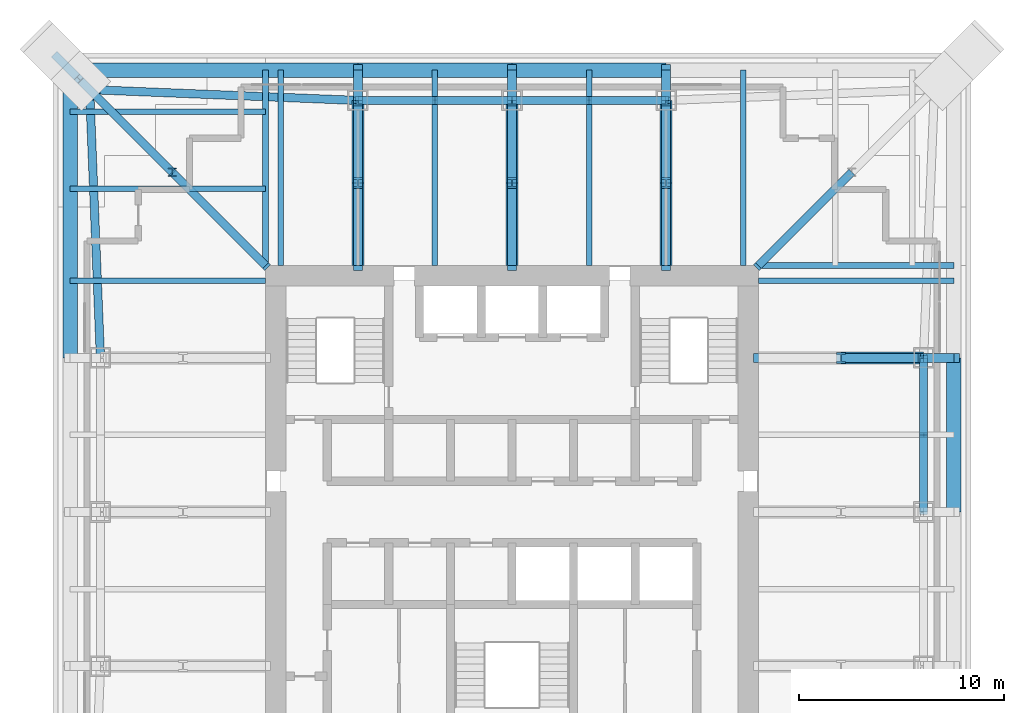
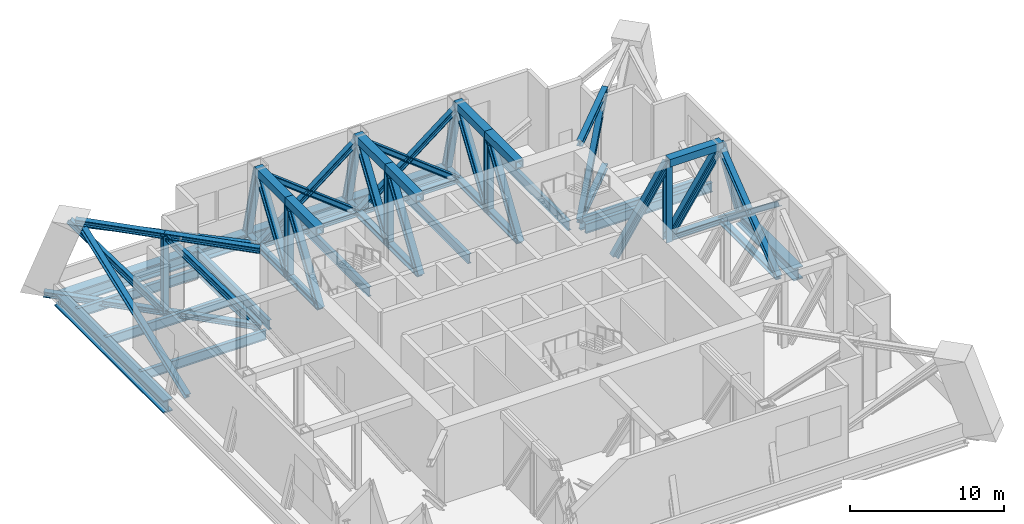
# One storey, part 3 of 9: 61 members, 15 beams.
"""IFC4 building model written with IfcOpenShell, lengths in metres."""

from ifc_helpers import new_model, si_unit, direction, frame, origin, origin_2d, place, context, subcontext, project, spatial, hollow_rectangle, i_section, extrude, clip, halfspace, material, material_profile, profile_set, type_object, element, save


model = new_model("IFC4")

# Units and contexts
model_context = context("Model", 3, precision=1e-05, world=origin(), true_north=direction((0.0, 1.0)))
body_context = subcontext(model_context, "Body", "Model", "MODEL_VIEW")
ifc_project = project(units=[si_unit("LENGTHUNIT", "METRE"), si_unit("AREAUNIT", "SQUARE_METRE"), si_unit("VOLUMEUNIT", "CUBIC_METRE"), si_unit("PLANEANGLEUNIT", "RADIAN"), si_unit("MASSUNIT", "GRAM", prefix="KILO")], contexts=[model_context])

# Site, building, storey
site_placement = place(None, origin())
site = spatial("IfcSite", under=ifc_project, at=site_placement, CompositionType="ELEMENT")
building_placement = place(site_placement, origin())
building = spatial("IfcBuilding", under=site, at=building_placement, Name="Tarangal Relay Tower", CompositionType="ELEMENT")
storey_placement = place(building_placement, frame((0.0, 0.0, 253.89990234375)))
storey = spatial("IfcBuildingStorey", under=building, at=storey_placement, Name="L55", CompositionType="ELEMENT", Elevation=253.89990234375)

# Members
ifc_material_1 = material(Name="Steel ASTM A992", Category="steel")
ifc_material_profile_1 = material_profile(ifc_material_1, i_section(OverallWidth=0.40380859375, OverallDepth=0.406494140625, WebThickness=0.027099609375, FlangeThickness=0.043701171875, at=origin_2d()), Name="W14X233")
ifc_profile_set_1 = profile_set([ifc_material_profile_1], Name="Steel ASTM A992")
member_type_1 = type_object("IfcMemberType", Name="Belt truss brace W14X233", PredefinedType="BRACE", material=ifc_profile_set_1)
for number, where, z_axis, x_axis, name in (
    (1, (-7.5, 20.0400390625, -0.4873046875), (0.790390136435, 0.0, 0.612603813428), (0.0, 1.0, 0.0), "Belt truss N L55 brace"),
    (2, (-3.75, 20.0400390625, 2.419189453125), (0.790390136435, 0.0, 0.612603813428), (0.0, 1.0, 0.0), "Belt truss N L55 brace"),
    (3, (0.0, 20.0400390625, -0.4873046875), (-0.790390136435, 0.0, 0.612603813428), (0.0, -1.0, 0.0), "Belt truss N L55 brace"),
    (4, (-3.75, 20.0400390625, 2.419189453125), (-0.790390136435, 0.0, 0.612603813428), (0.0, -1.0, 0.0), "Belt truss N L55 brace"),
    (5, (0.0, 20.0400390625, -0.4873046875), (0.790390136435, 0.0, 0.612603813428), (0.0, 1.0, 0.0), "Belt truss N L55 brace"),
    (6, (3.75, 20.0400390625, 2.419189453125), (0.790390136435, 0.0, 0.612603813428), (0.0, 1.0, 0.0), "Belt truss N L55 brace"),
    (7, (7.5, 20.0400390625, -0.4873046875), (-0.790390136435, 0.0, 0.612603813428), (0.0, -1.0, 0.0), "Belt truss N L55 brace"),
    (8, (3.75, 20.0400390625, 2.419189453125), (-0.790390136435, 0.0, 0.612603813428), (0.0, -1.0, 0.0), "Belt truss N L55 brace"),
):
    element("IfcMember", number, at=place(storey_placement, frame(where, z_axis=z_axis, x_axis=x_axis)), inside=storey, type_object=member_type_1, Name=name, PredefinedType="BRACE", context=body_context, shape_type="SweptSolid", body=[
        extrude(i_section(OverallWidth=0.40380859375, OverallDepth=0.406494140625, WebThickness=0.027099609375, FlangeThickness=0.043701171875, at=origin_2d()), origin(), (0.0, 0.0, 1.0), 4.744384765625),
    ])
member_1_placement = place(storey_placement, frame((-7.5, 20.0400390625, -0.4873046875), z_axis=(-0.908043977313, 0.036609871243, 0.417271916853), x_axis=(-0.040284561108, -0.999188247597, 0.0)))
element("IfcMember", 9, at=member_1_placement, inside=storey, type_object=member_type_1, Name="Belt truss N L55 end brace", PredefinedType="BRACE", context=body_context, shape_type="SweptSolid", body=[
    extrude(i_section(OverallWidth=0.40380859375, OverallDepth=0.406494140625, WebThickness=0.027099609375, FlangeThickness=0.043701171875, at=origin_2d()), origin(), (0.0, 0.0, 1.0), 13.930908203125),
])
for number, where, z_axis, x_axis, name in (
    (10, (20.0400390625, 7.5, -0.4873046875), (0.0, -0.790390136435, 0.612603813428), (1.0, 0.0, 0.0), "Belt truss E L55 brace"),
    (11, (20.0400390625, 3.75, 2.419189453125), (0.0, -0.790390136435, 0.612603813428), (1.0, 0.0, 0.0), "Belt truss E L55 brace"),
    (12, (20.0400390625, 0.0, -0.4873046875), (0.0, 0.790390136435, 0.612603813428), (-1.0, 0.0, 0.0), "Belt truss E L55 brace"),
    (13, (20.0400390625, 3.75, 2.419189453125), (0.0, 0.790390136435, 0.612603813428), (-1.0, 0.0, 0.0), "Belt truss E L55 brace"),
):
    element("IfcMember", number, at=place(storey_placement, frame(where, z_axis=z_axis, x_axis=x_axis)), inside=storey, type_object=member_type_1, Name=name, PredefinedType="BRACE", context=body_context, shape_type="SweptSolid", body=[
        extrude(i_section(OverallWidth=0.40380859375, OverallDepth=0.406494140625, WebThickness=0.027099609375, FlangeThickness=0.043701171875, at=origin_2d()), origin(), (0.0, 0.0, 1.0), 4.744384765625),
    ])
member_2_placement = place(storey_placement, frame((-20.0400390625, 7.5, -0.4873046875), z_axis=(-0.036609871243, 0.908043977313, 0.417271916853), x_axis=(-0.999188247597, -0.040284561108, 0.0)))
element("IfcMember", 14, at=member_2_placement, inside=storey, type_object=member_type_1, Name="Belt truss W L55 end brace", PredefinedType="BRACE", context=body_context, shape_type="SweptSolid", body=[
    extrude(i_section(OverallWidth=0.40380859375, OverallDepth=0.406494140625, WebThickness=0.027099609375, FlangeThickness=0.043701171875, at=origin_2d()), origin(), (0.0, 0.0, 1.0), 13.930908203125),
])
ifc_material_profile_2 = material_profile(ifc_material_1, i_section(OverallWidth=0.406494140625, OverallDepth=0.41650390625, WebThickness=0.030029296875, FlangeThickness=0.048095703125, at=origin_2d()), Name="W14X257")
ifc_profile_set_2 = profile_set([ifc_material_profile_2], Name="Steel ASTM A992")
member_type_2 = type_object("IfcMemberType", Name="Belt truss chord W14X257", PredefinedType="CHORD", material=ifc_profile_set_2)
for number, where, z_axis, x_axis, name in (
    (15, (-7.5, 20.0400390625, -0.4873046875), (1.0, 0.0, 0.0), (0.0, 1.0, 0.0), "Belt truss N L55 bottom chord"),
    (16, (0.0, 20.0400390625, -0.4873046875), (1.0, 0.0, 0.0), (0.0, 1.0, 0.0), "Belt truss N L55 bottom chord"),
    (17, (20.0400390625, 7.5, -0.4873046875), (0.0, -1.0, 0.0), (1.0, 0.0, 0.0), "Belt truss E L55 bottom chord"),
):
    element("IfcMember", number, at=place(storey_placement, frame(where, z_axis=z_axis, x_axis=x_axis)), inside=storey, type_object=member_type_2, Name=name, PredefinedType="CHORD", context=body_context, shape_type="SweptSolid", body=[
        extrude(i_section(OverallWidth=0.406494140625, OverallDepth=0.41650390625, WebThickness=0.030029296875, FlangeThickness=0.048095703125, at=origin_2d()), origin(), (0.0, 0.0, 1.0), 7.5),
    ])

# Beams
ifc_material_profile_3 = material_profile(ifc_material_1, i_section(OverallWidth=0.2666015625, OverallDepth=0.761962890625, WebThickness=0.014404296875, FlangeThickness=0.021484375, at=origin_2d()), Name="W30X116")
ifc_profile_set_3 = profile_set([ifc_material_profile_3], Name="Steel ASTM A992")
beam_type_1 = type_object("IfcBeamType", Name="Corner beam W30X116", PredefinedType="JOIST", material=ifc_profile_set_3)
for number, where, z_axis, x_axis, name in (
    (18, (-12.0, 15.75, -0.630859375), (-1.0, 0.0, 0.0), (0.0, -1.0, 0.0), "Corner beam CB1 W L55"),
    (19, (-12.0, 19.5, -0.630859375), (-1.0, 0.0, 0.0), (0.0, -1.0, 0.0), "Corner beam CB1 W L55"),
):
    element("IfcBeam", number, at=place(storey_placement, frame(where, z_axis=z_axis, x_axis=x_axis)), inside=storey, type_object=beam_type_1, Name=name, PredefinedType="JOIST", context=body_context, shape_type="SweptSolid", body=[
        extrude(i_section(OverallWidth=0.2666015625, OverallDepth=0.761962890625, WebThickness=0.014404296875, FlangeThickness=0.021484375, at=origin_2d()), origin(), (0.0, 0.0, 1.0), 9.514892578125),
    ])
ifc_material_profile_4 = material_profile(ifc_material_1, i_section(OverallWidth=0.307373046875, OverallDepth=0.9423828125, WebThickness=0.022216796875, FlangeThickness=0.039794921875, at=origin_2d()), Name="W36X232")
ifc_profile_set_4 = profile_set([ifc_material_profile_4], Name="Steel ASTM A992")
beam_type_2 = type_object("IfcBeamType", Name="Corner girder W36X232", PredefinedType="BEAM", material=ifc_profile_set_4)
for number, where, z_axis, x_axis, name in (
    (20, (12.0, 12.0, -0.720947265625), (1.0, 0.0, 0.0), (0.0, 1.0, 0.0), "Corner girder CG4 N L55"),
    (21, (-12.0, 12.0, -0.720947265625), (0.0, 1.0, 0.0), (-1.0, 0.0, 0.0), "Corner girder CG4 W L55"),
):
    element("IfcBeam", number, at=place(storey_placement, frame(where, z_axis=z_axis, x_axis=x_axis)), inside=storey, type_object=beam_type_2, Name=name, PredefinedType="BEAM", context=body_context, shape_type="SweptSolid", body=[
        extrude(i_section(OverallWidth=0.307373046875, OverallDepth=0.9423828125, WebThickness=0.022216796875, FlangeThickness=0.039794921875, at=origin_2d()), origin(), (0.0, 0.0, 1.0), 9.514892578125),
    ])
ifc_material_2 = material(Name="Steel ASTM A572 Grade 50", Category="steel")
ifc_material_profile_5 = material_profile(ifc_material_2, i_section(OverallWidth=0.699951171875, OverallDepth=1.0, WebThickness=0.030029296875, FlangeThickness=0.10009765625, at=origin_2d()), Name="PG1000X700X100X30")
ifc_profile_set_5 = profile_set([ifc_material_profile_5], Name="Steel ASTM A572 Grade 50")
beam_type_3 = type_object("IfcBeamType", Name="Edge girder PG1000X700X100X30", PredefinedType="SPANDREL", material=ifc_profile_set_5)
beam_1_placement = place(storey_placement, frame((-21.64990234375, 21.514892578125, -0.75), z_axis=(1.0, 0.0, 0.0), x_axis=(0.0, 1.0, 0.0)))
element("IfcBeam", 22, at=beam_1_placement, inside=storey, type_object=beam_type_3, Name="Edge girder EG13 N L55", PredefinedType="SPANDREL", context=body_context, shape_type="SweptSolid", body=[
    extrude(i_section(OverallWidth=0.699951171875, OverallDepth=1.0, WebThickness=0.030029296875, FlangeThickness=0.10009765625, at=origin_2d()), origin(), (0.0, 0.0, 1.0), 14.14990234375),
])
for number, where, z_axis, x_axis, name in (
    (23, (-7.5, 21.514892578125, -0.75), (1.0, 0.0, 0.0), (0.0, 1.0, 0.0), "Edge girder EG13 N L55"),
    (24, (0.0, 21.514892578125, -0.75), (1.0, 0.0, 0.0), (0.0, 1.0, 0.0), "Edge girder EG13 N L55"),
    (25, (21.514892578125, 7.5, -0.75), (0.0, -1.0, 0.0), (1.0, 0.0, 0.0), "Edge girder EG13 E L55"),
):
    element("IfcBeam", number, at=place(storey_placement, frame(where, z_axis=z_axis, x_axis=x_axis)), inside=storey, type_object=beam_type_3, Name=name, PredefinedType="SPANDREL", context=body_context, shape_type="SweptSolid", body=[
        extrude(i_section(OverallWidth=0.699951171875, OverallDepth=1.0, WebThickness=0.030029296875, FlangeThickness=0.10009765625, at=origin_2d()), origin(), (0.0, 0.0, 1.0), 7.5),
    ])
beam_2_placement = place(storey_placement, frame((-21.514892578125, 7.5, -0.75), z_axis=(0.0, 1.0, 0.0), x_axis=(-1.0, 0.0, 0.0)))
element("IfcBeam", 26, at=beam_2_placement, inside=storey, type_object=beam_type_3, Name="Edge girder EG13 W L55", PredefinedType="SPANDREL", context=body_context, shape_type="SweptSolid", body=[
    extrude(i_section(OverallWidth=0.699951171875, OverallDepth=1.0, WebThickness=0.030029296875, FlangeThickness=0.10009765625, at=origin_2d()), origin(), (0.0, 0.0, 1.0), 14.14990234375),
])
ifc_material_profile_6 = material_profile(ifc_material_1, i_section(OverallWidth=0.2666015625, OverallDepth=0.75439453125, WebThickness=0.01318359375, FlangeThickness=0.01708984375, at=origin_2d()), Name="W30X99")
ifc_profile_set_6 = profile_set([ifc_material_profile_6], Name="Steel ASTM A992")
beam_type_4 = type_object("IfcBeamType", Name="Floor beam W30X99", PredefinedType="BEAM", material=ifc_profile_set_6)
for number, where, z_axis, x_axis, name in (
    (27, (-11.25, 12.0, -0.627197265625), (0.0, 1.0, 0.0), (-1.0, 0.0, 0.0), "Floor beam RB7 N L55"),
    (28, (-3.75, 12.0, -0.627197265625), (0.0, 1.0, 0.0), (-1.0, 0.0, 0.0), "Floor beam RB7 N L55"),
    (29, (3.75, 12.0, -0.627197265625), (0.0, 1.0, 0.0), (-1.0, 0.0, 0.0), "Floor beam RB7 N L55"),
    (30, (11.25, 12.0, -0.627197265625), (0.0, 1.0, 0.0), (-1.0, 0.0, 0.0), "Floor beam RB7 N L55"),
    (31, (12.0, 11.25, -0.627197265625), (1.0, 0.0, 0.0), (0.0, 1.0, 0.0), "Floor beam RB7 E L55"),
    (32, (-12.0, 11.25, -0.627197265625), (-1.0, 0.0, 0.0), (0.0, -1.0, 0.0), "Floor beam RB7 W L55"),
):
    element("IfcBeam", number, at=place(storey_placement, frame(where, z_axis=z_axis, x_axis=x_axis)), inside=storey, type_object=beam_type_4, Name=name, PredefinedType="BEAM", context=body_context, shape_type="SweptSolid", body=[
        extrude(i_section(OverallWidth=0.2666015625, OverallDepth=0.75439453125, WebThickness=0.01318359375, FlangeThickness=0.01708984375, at=origin_2d()), origin(), (0.0, 0.0, 1.0), 9.514892578125),
    ])

# Members
ifc_material_profile_7 = material_profile(ifc_material_1, i_section(OverallWidth=0.41162109375, OverallDepth=0.434326171875, WebThickness=0.035888671875, FlangeThickness=0.057373046875, at=origin_2d()), Name="W14X311")
ifc_profile_set_7 = profile_set([ifc_material_profile_7], Name="Steel ASTM A992")
member_type_3 = type_object("IfcMemberType", Name="Outrigger chord W14X311", PredefinedType="CHORD", material=ifc_profile_set_7)
for number, where, z_axis, x_axis, name in (
    (33, (12.0, 12.0, -0.467041015625), (0.707106781187, 0.707106781187, 0.0), (-0.707106781187, 0.707106781187, 0.0), "Outrigger NE L55 bottom chord"),
    (34, (12.0, 12.0, 5.6328125), (0.707106781187, 0.707106781187, 0.0), (-0.707106781187, 0.707106781187, 0.0), "Outrigger NE L55 top chord"),
    (35, (-12.0, 12.0, -0.467041015625), (-0.707106781187, 0.707106781187, 0.0), (-0.707106781187, -0.707106781187, 0.0), "Outrigger NW L55 bottom chord"),
):
    element("IfcMember", number, at=place(storey_placement, frame(where, z_axis=z_axis, x_axis=x_axis)), inside=storey, type_object=member_type_3, Name=name, PredefinedType="CHORD", context=body_context, shape_type="SweptSolid", body=[
        extrude(i_section(OverallWidth=0.41162109375, OverallDepth=0.434326171875, WebThickness=0.035888671875, FlangeThickness=0.057373046875, at=origin_2d()), origin(), (0.0, 0.0, 1.0), 6.428955078125),
    ])
member_3_placement = place(storey_placement, frame((-16.5458984375, 16.5458984375, -0.467041015625), z_axis=(-0.707106781187, 0.707106781187, 0.0), x_axis=(-0.707106781187, -0.707106781187, 0.0)))
element("IfcMember", 36, at=member_3_placement, inside=storey, type_object=member_type_3, Name="Outrigger NW L55 bottom chord", PredefinedType="CHORD", context=body_context, shape_type="Clipping", body=[
    clip(extrude(i_section(OverallWidth=0.41162109375, OverallDepth=0.434326171875, WebThickness=0.035888671875, FlangeThickness=0.057373046875, at=origin_2d()), origin(), (0.0, 0.0, 1.0), 8.42041015625), halfspace(frame((0.0, 0.0, 8.1298828125)), False)),
])
member_4_placement = place(storey_placement, frame((-12.0, 12.0, 5.6328125), z_axis=(-0.707106781187, 0.707106781187, 0.0), x_axis=(-0.707106781187, -0.707106781187, 0.0)))
element("IfcMember", 37, at=member_4_placement, inside=storey, type_object=member_type_3, Name="Outrigger NW L55 top chord", PredefinedType="CHORD", context=body_context, shape_type="SweptSolid", body=[
    extrude(i_section(OverallWidth=0.41162109375, OverallDepth=0.434326171875, WebThickness=0.035888671875, FlangeThickness=0.057373046875, at=origin_2d()), origin(), (0.0, 0.0, 1.0), 6.428955078125),
])
member_5_placement = place(storey_placement, frame((-16.5458984375, 16.5458984375, 5.6328125), z_axis=(-0.707106781187, 0.707106781187, 0.0), x_axis=(-0.707106781187, -0.707106781187, 0.0)))
element("IfcMember", 38, at=member_5_placement, inside=storey, type_object=member_type_3, Name="Outrigger NW L55 top chord", PredefinedType="CHORD", context=body_context, shape_type="Clipping", body=[
    clip(extrude(i_section(OverallWidth=0.41162109375, OverallDepth=0.434326171875, WebThickness=0.035888671875, FlangeThickness=0.057373046875, at=origin_2d()), origin(), (0.0, 0.0, 1.0), 6.428955078125), halfspace(frame((0.0, 0.0, 6.008544921875)), False)),
])
ifc_material_profile_8 = material_profile(ifc_material_1, i_section(OverallWidth=0.40380859375, OverallDepth=0.406494140625, WebThickness=0.027099609375, FlangeThickness=0.043701171875, at=origin_2d()), Name="W14X233")
ifc_profile_set_8 = profile_set([ifc_material_profile_8], Name="Steel ASTM A992")
member_type_4 = type_object("IfcMemberType", Name="Outrigger web W14X233", PredefinedType="STRUT", material=ifc_profile_set_8)
member_6_placement = place(storey_placement, frame((12.0, 12.0, -0.467041015625), z_axis=(0.512953687451, 0.512953687451, 0.688300101018), x_axis=(-0.707106781187, 0.707106781187, 0.0)))
element("IfcMember", 39, at=member_6_placement, inside=storey, type_object=member_type_4, Name="Outrigger NE L55 diagonal", PredefinedType="STRUT", context=body_context, shape_type="SweptSolid", body=[
    extrude(i_section(OverallWidth=0.40380859375, OverallDepth=0.406494140625, WebThickness=0.027099609375, FlangeThickness=0.043701171875, at=origin_2d()), origin(), (0.0, 0.0, 1.0), 8.8623046875),
])
member_7_placement = place(storey_placement, frame((-16.5458984375, 16.5458984375, -0.467041015625), z_axis=(0.0, 0.0, 1.0), x_axis=(1.0, 0.0, 0.0)))
element("IfcMember", 40, at=member_7_placement, inside=storey, type_object=member_type_4, Name="Outrigger NW L55 vertical", PredefinedType="STRUT", context=body_context, shape_type="SweptSolid", body=[
    extrude(i_section(OverallWidth=0.40380859375, OverallDepth=0.406494140625, WebThickness=0.027099609375, FlangeThickness=0.043701171875, at=origin_2d()), origin(), (0.0, 0.0, 1.0), 6.099853515625),
])
for number, where, z_axis, x_axis, name in (
    (41, (-12.0, 12.0, -0.467041015625), (-0.512953687451, 0.512953687451, 0.688300101018), (-0.707106781187, -0.707106781187, 0.0), "Outrigger NW L55 diagonal"),
    (42, (-16.5458984375, 16.5458984375, -0.467041015625), (-0.512953687451, 0.512953687451, 0.688300101018), (-0.707106781187, -0.707106781187, 0.0), "Outrigger NW L55 diagonal"),
):
    element("IfcMember", number, at=place(storey_placement, frame(where, z_axis=z_axis, x_axis=x_axis)), inside=storey, type_object=member_type_4, Name=name, PredefinedType="STRUT", context=body_context, shape_type="SweptSolid", body=[
        extrude(i_section(OverallWidth=0.40380859375, OverallDepth=0.406494140625, WebThickness=0.027099609375, FlangeThickness=0.043701171875, at=origin_2d()), origin(), (0.0, 0.0, 1.0), 8.8623046875),
    ])
ifc_material_profile_9 = material_profile(ifc_material_1, i_section(OverallWidth=0.42431640625, OverallDepth=0.47509765625, WebThickness=0.0478515625, FlangeThickness=0.0771484375, at=origin_2d()), Name="W14X426")
ifc_profile_set_9 = profile_set([ifc_material_profile_9], Name="Steel ASTM A992")
member_type_5 = type_object("IfcMemberType", Name="Transfer truss chord W14X426", PredefinedType="CHORD", material=ifc_profile_set_9)
for number, where, z_axis, x_axis, name in (
    (43, (-7.5, 12.0, -0.4873046875), (0.0, 1.0, 0.0), (-1.0, 0.0, 0.0), "Transfer truss N -7.5 L55 bottom chord"),
    (44, (-7.5, 16.02001953125, -0.4873046875), (0.0, 1.0, 0.0), (-1.0, 0.0, 0.0), "Transfer truss N -7.5 L55 bottom chord"),
):
    element("IfcMember", number, at=place(storey_placement, frame(where, z_axis=z_axis, x_axis=x_axis)), inside=storey, type_object=member_type_5, Name=name, PredefinedType="CHORD", context=body_context, shape_type="SweptSolid", body=[
        extrude(i_section(OverallWidth=0.42431640625, OverallDepth=0.47509765625, WebThickness=0.0478515625, FlangeThickness=0.0771484375, at=origin_2d()), origin(), (0.0, 0.0, 1.0), 4.02001953125),
    ])
member_8_placement = place(storey_placement, frame((-7.5, 20.0400390625, -0.4873046875), z_axis=(0.0, 1.0, 0.0), x_axis=(-1.0, 0.0, 0.0)))
element("IfcMember", 45, at=member_8_placement, inside=storey, type_object=member_type_5, Name="Transfer truss N -7.5 L55 bottom chord", PredefinedType="CHORD", context=body_context, shape_type="SweptSolid", body=[
    extrude(i_section(OverallWidth=0.42431640625, OverallDepth=0.47509765625, WebThickness=0.0478515625, FlangeThickness=0.0771484375, at=origin_2d()), origin(), (0.0, 0.0, 1.0), 1.474853515625),
])
for number, where, z_axis, x_axis, name in (
    (46, (0.0, 12.0, -0.4873046875), (0.0, 1.0, 0.0), (-1.0, 0.0, 0.0), "Transfer truss N +0.0 L55 bottom chord"),
    (47, (0.0, 16.02001953125, -0.4873046875), (0.0, 1.0, 0.0), (-1.0, 0.0, 0.0), "Transfer truss N +0.0 L55 bottom chord"),
):
    element("IfcMember", number, at=place(storey_placement, frame(where, z_axis=z_axis, x_axis=x_axis)), inside=storey, type_object=member_type_5, Name=name, PredefinedType="CHORD", context=body_context, shape_type="SweptSolid", body=[
        extrude(i_section(OverallWidth=0.42431640625, OverallDepth=0.47509765625, WebThickness=0.0478515625, FlangeThickness=0.0771484375, at=origin_2d()), origin(), (0.0, 0.0, 1.0), 4.02001953125),
    ])
member_9_placement = place(storey_placement, frame((0.0, 20.0400390625, -0.4873046875), z_axis=(0.0, 1.0, 0.0), x_axis=(-1.0, 0.0, 0.0)))
element("IfcMember", 48, at=member_9_placement, inside=storey, type_object=member_type_5, Name="Transfer truss N +0.0 L55 bottom chord", PredefinedType="CHORD", context=body_context, shape_type="SweptSolid", body=[
    extrude(i_section(OverallWidth=0.42431640625, OverallDepth=0.47509765625, WebThickness=0.0478515625, FlangeThickness=0.0771484375, at=origin_2d()), origin(), (0.0, 0.0, 1.0), 1.474853515625),
])
for number, where, z_axis, x_axis, name in (
    (49, (7.5, 12.0, -0.4873046875), (0.0, 1.0, 0.0), (-1.0, 0.0, 0.0), "Transfer truss N +7.5 L55 bottom chord"),
    (50, (7.5, 16.02001953125, -0.4873046875), (0.0, 1.0, 0.0), (-1.0, 0.0, 0.0), "Transfer truss N +7.5 L55 bottom chord"),
):
    element("IfcMember", number, at=place(storey_placement, frame(where, z_axis=z_axis, x_axis=x_axis)), inside=storey, type_object=member_type_5, Name=name, PredefinedType="CHORD", context=body_context, shape_type="SweptSolid", body=[
        extrude(i_section(OverallWidth=0.42431640625, OverallDepth=0.47509765625, WebThickness=0.0478515625, FlangeThickness=0.0771484375, at=origin_2d()), origin(), (0.0, 0.0, 1.0), 4.02001953125),
    ])
member_10_placement = place(storey_placement, frame((7.5, 20.0400390625, -0.4873046875), z_axis=(0.0, 1.0, 0.0), x_axis=(-1.0, 0.0, 0.0)))
element("IfcMember", 51, at=member_10_placement, inside=storey, type_object=member_type_5, Name="Transfer truss N +7.5 L55 bottom chord", PredefinedType="CHORD", context=body_context, shape_type="SweptSolid", body=[
    extrude(i_section(OverallWidth=0.42431640625, OverallDepth=0.47509765625, WebThickness=0.0478515625, FlangeThickness=0.0771484375, at=origin_2d()), origin(), (0.0, 0.0, 1.0), 1.474853515625),
])
member_11_placement = place(storey_placement, frame((16.02001953125, 7.5, -0.4873046875), z_axis=(1.0, 0.0, 0.0), x_axis=(0.0, 1.0, 0.0)))
element("IfcMember", 52, at=member_11_placement, inside=storey, type_object=member_type_5, Name="Transfer truss E -7.5 L55 bottom chord", PredefinedType="CHORD", context=body_context, shape_type="SweptSolid", body=[
    extrude(i_section(OverallWidth=0.42431640625, OverallDepth=0.47509765625, WebThickness=0.0478515625, FlangeThickness=0.0771484375, at=origin_2d()), origin(), (0.0, 0.0, 1.0), 4.02001953125),
])
member_12_placement = place(storey_placement, frame((20.0400390625, 7.5, -0.4873046875), z_axis=(1.0, 0.0, 0.0), x_axis=(0.0, 1.0, 0.0)))
element("IfcMember", 53, at=member_12_placement, inside=storey, type_object=member_type_5, Name="Transfer truss E -7.5 L55 bottom chord", PredefinedType="CHORD", context=body_context, shape_type="SweptSolid", body=[
    extrude(i_section(OverallWidth=0.42431640625, OverallDepth=0.47509765625, WebThickness=0.0478515625, FlangeThickness=0.0771484375, at=origin_2d()), origin(), (0.0, 0.0, 1.0), 1.474853515625),
])
ifc_material_profile_10 = material_profile(ifc_material_2, hollow_rectangle(XDim=0.60009765625, YDim=0.60009765625, WallThickness=0.070068359375, at=origin_2d()), Name="BOX600X600X70")
ifc_profile_set_10 = profile_set([ifc_material_profile_10], Name="Steel ASTM A572 Grade 50")
member_type_6 = type_object("IfcMemberType", Name="Transfer truss top chord BOX600X600X70", PredefinedType="CHORD", material=ifc_profile_set_10)
for number, where, z_axis, x_axis, name in (
    (54, (-7.5, 12.0, 5.550048828125), (0.0, 1.0, 0.0), (-1.0, 0.0, 0.0), "Transfer truss N -7.5 L55 top chord"),
    (55, (-7.5, 16.02001953125, 5.550048828125), (0.0, 1.0, 0.0), (-1.0, 0.0, 0.0), "Transfer truss N -7.5 L55 top chord"),
    (56, (0.0, 12.0, 5.550048828125), (0.0, 1.0, 0.0), (-1.0, 0.0, 0.0), "Transfer truss N +0.0 L55 top chord"),
    (57, (0.0, 16.02001953125, 5.550048828125), (0.0, 1.0, 0.0), (-1.0, 0.0, 0.0), "Transfer truss N +0.0 L55 top chord"),
    (58, (7.5, 12.0, 5.550048828125), (0.0, 1.0, 0.0), (-1.0, 0.0, 0.0), "Transfer truss N +7.5 L55 top chord"),
    (59, (7.5, 16.02001953125, 5.550048828125), (0.0, 1.0, 0.0), (-1.0, 0.0, 0.0), "Transfer truss N +7.5 L55 top chord"),
    (60, (16.02001953125, 7.5, 5.550048828125), (1.0, 0.0, 0.0), (0.0, 1.0, 0.0), "Transfer truss E -7.5 L55 top chord"),
):
    element("IfcMember", number, at=place(storey_placement, frame(where, z_axis=z_axis, x_axis=x_axis)), inside=storey, type_object=member_type_6, Name=name, PredefinedType="CHORD", context=body_context, shape_type="SweptSolid", body=[
        extrude(hollow_rectangle(XDim=0.60009765625, YDim=0.60009765625, WallThickness=0.070068359375, at=origin_2d()), origin(), (0.0, 0.0, 1.0), 4.02001953125),
    ])
ifc_material_profile_11 = material_profile(ifc_material_1, i_section(OverallWidth=0.44970703125, OverallDepth=0.548583984375, WebThickness=0.072021484375, FlangeThickness=0.11474609375, at=origin_2d()), Name="W14X665")
ifc_profile_set_11 = profile_set([ifc_material_profile_11], Name="Steel ASTM A992")
member_type_7 = type_object("IfcMemberType", Name="Transfer truss web W14X665", PredefinedType="STRUT", material=ifc_profile_set_11)
member_13_placement = place(storey_placement, frame((-7.5, 16.02001953125, -0.724853515625), z_axis=(0.0, 0.0, 1.0), x_axis=(1.0, 0.0, 0.0)))
element("IfcMember", 61, at=member_13_placement, inside=storey, type_object=member_type_7, Name="Transfer truss N -7.5 L55 vertical", PredefinedType="STRUT", context=body_context, shape_type="SweptSolid", body=[
    extrude(i_section(OverallWidth=0.44970703125, OverallDepth=0.548583984375, WebThickness=0.072021484375, FlangeThickness=0.11474609375, at=origin_2d()), origin(), (0.0, 0.0, 1.0), 6.27490234375),
])
member_14_placement = place(storey_placement, frame((-7.5, 12.0, -0.599853515625), z_axis=(0.0, 0.547147296219, 0.837036341051), x_axis=(-1.0, 0.0, 0.0)))
element("IfcMember", 62, at=member_14_placement, inside=storey, type_object=member_type_7, Name="Transfer truss N -7.5 L55 diagonal", PredefinedType="STRUT", context=body_context, shape_type="SweptSolid", body=[
    extrude(i_section(OverallWidth=0.44970703125, OverallDepth=0.548583984375, WebThickness=0.072021484375, FlangeThickness=0.11474609375, at=origin_2d()), origin(), (0.0, 0.0, 1.0), 7.34716796875),
])
member_15_placement = place(storey_placement, frame((-7.5, 16.02001953125, -0.4873046875), z_axis=(0.0, 0.554234057344, 0.832360865058), x_axis=(-1.0, 0.0, 0.0)))
element("IfcMember", 63, at=member_15_placement, inside=storey, type_object=member_type_7, Name="Transfer truss N -7.5 L55 diagonal", PredefinedType="STRUT", context=body_context, shape_type="SweptSolid", body=[
    extrude(i_section(OverallWidth=0.44970703125, OverallDepth=0.548583984375, WebThickness=0.072021484375, FlangeThickness=0.11474609375, at=origin_2d()), origin(), (0.0, 0.0, 1.0), 7.253173828125),
])
member_16_placement = place(storey_placement, frame((-7.5, 21.514892578125, -0.4873046875), z_axis=(0.0, -0.23730975733, 0.971434032282), x_axis=(1.0, 0.0, 0.0)))
element("IfcMember", 64, at=member_16_placement, inside=storey, type_object=member_type_7, Name="Transfer truss N -7.5 L55 end diagonal", PredefinedType="STRUT", context=body_context, shape_type="SweptSolid", body=[
    extrude(i_section(OverallWidth=0.44970703125, OverallDepth=0.548583984375, WebThickness=0.072021484375, FlangeThickness=0.11474609375, at=origin_2d()), origin(), (0.0, 0.0, 1.0), 6.21484375),
])
member_17_placement = place(storey_placement, frame((0.0, 16.02001953125, -0.724853515625), z_axis=(0.0, 0.0, 1.0), x_axis=(1.0, 0.0, 0.0)))
element("IfcMember", 65, at=member_17_placement, inside=storey, type_object=member_type_7, Name="Transfer truss N +0.0 L55 vertical", PredefinedType="STRUT", context=body_context, shape_type="SweptSolid", body=[
    extrude(i_section(OverallWidth=0.44970703125, OverallDepth=0.548583984375, WebThickness=0.072021484375, FlangeThickness=0.11474609375, at=origin_2d()), origin(), (0.0, 0.0, 1.0), 6.27490234375),
])
member_18_placement = place(storey_placement, frame((0.0, 12.0, -0.599853515625), z_axis=(0.0, 0.547147296219, 0.837036341051), x_axis=(-1.0, 0.0, 0.0)))
element("IfcMember", 66, at=member_18_placement, inside=storey, type_object=member_type_7, Name="Transfer truss N +0.0 L55 diagonal", PredefinedType="STRUT", context=body_context, shape_type="SweptSolid", body=[
    extrude(i_section(OverallWidth=0.44970703125, OverallDepth=0.548583984375, WebThickness=0.072021484375, FlangeThickness=0.11474609375, at=origin_2d()), origin(), (0.0, 0.0, 1.0), 7.34716796875),
])
member_19_placement = place(storey_placement, frame((0.0, 16.02001953125, -0.4873046875), z_axis=(0.0, 0.554234057344, 0.832360865058), x_axis=(-1.0, 0.0, 0.0)))
element("IfcMember", 67, at=member_19_placement, inside=storey, type_object=member_type_7, Name="Transfer truss N +0.0 L55 diagonal", PredefinedType="STRUT", context=body_context, shape_type="SweptSolid", body=[
    extrude(i_section(OverallWidth=0.44970703125, OverallDepth=0.548583984375, WebThickness=0.072021484375, FlangeThickness=0.11474609375, at=origin_2d()), origin(), (0.0, 0.0, 1.0), 7.253173828125),
])
member_20_placement = place(storey_placement, frame((0.0, 21.514892578125, -0.4873046875), z_axis=(0.0, -0.23730975733, 0.971434032282), x_axis=(1.0, 0.0, 0.0)))
element("IfcMember", 68, at=member_20_placement, inside=storey, type_object=member_type_7, Name="Transfer truss N +0.0 L55 end diagonal", PredefinedType="STRUT", context=body_context, shape_type="SweptSolid", body=[
    extrude(i_section(OverallWidth=0.44970703125, OverallDepth=0.548583984375, WebThickness=0.072021484375, FlangeThickness=0.11474609375, at=origin_2d()), origin(), (0.0, 0.0, 1.0), 6.21484375),
])
member_21_placement = place(storey_placement, frame((7.5, 16.02001953125, -0.724853515625), z_axis=(0.0, 0.0, 1.0), x_axis=(1.0, 0.0, 0.0)))
element("IfcMember", 69, at=member_21_placement, inside=storey, type_object=member_type_7, Name="Transfer truss N +7.5 L55 vertical", PredefinedType="STRUT", context=body_context, shape_type="SweptSolid", body=[
    extrude(i_section(OverallWidth=0.44970703125, OverallDepth=0.548583984375, WebThickness=0.072021484375, FlangeThickness=0.11474609375, at=origin_2d()), origin(), (0.0, 0.0, 1.0), 6.27490234375),
])
member_22_placement = place(storey_placement, frame((7.5, 12.0, -0.599853515625), z_axis=(0.0, 0.547147296219, 0.837036341051), x_axis=(-1.0, 0.0, 0.0)))
element("IfcMember", 70, at=member_22_placement, inside=storey, type_object=member_type_7, Name="Transfer truss N +7.5 L55 diagonal", PredefinedType="STRUT", context=body_context, shape_type="SweptSolid", body=[
    extrude(i_section(OverallWidth=0.44970703125, OverallDepth=0.548583984375, WebThickness=0.072021484375, FlangeThickness=0.11474609375, at=origin_2d()), origin(), (0.0, 0.0, 1.0), 7.34716796875),
])
member_23_placement = place(storey_placement, frame((7.5, 16.02001953125, -0.4873046875), z_axis=(0.0, 0.554234057344, 0.832360865058), x_axis=(-1.0, 0.0, 0.0)))
element("IfcMember", 71, at=member_23_placement, inside=storey, type_object=member_type_7, Name="Transfer truss N +7.5 L55 diagonal", PredefinedType="STRUT", context=body_context, shape_type="SweptSolid", body=[
    extrude(i_section(OverallWidth=0.44970703125, OverallDepth=0.548583984375, WebThickness=0.072021484375, FlangeThickness=0.11474609375, at=origin_2d()), origin(), (0.0, 0.0, 1.0), 7.253173828125),
])
member_24_placement = place(storey_placement, frame((7.5, 21.514892578125, -0.4873046875), z_axis=(0.0, -0.23730975733, 0.971434032282), x_axis=(1.0, 0.0, 0.0)))
element("IfcMember", 72, at=member_24_placement, inside=storey, type_object=member_type_7, Name="Transfer truss N +7.5 L55 end diagonal", PredefinedType="STRUT", context=body_context, shape_type="SweptSolid", body=[
    extrude(i_section(OverallWidth=0.44970703125, OverallDepth=0.548583984375, WebThickness=0.072021484375, FlangeThickness=0.11474609375, at=origin_2d()), origin(), (0.0, 0.0, 1.0), 6.21484375),
])
member_25_placement = place(storey_placement, frame((16.02001953125, 7.5, -0.724853515625), z_axis=(0.0, 0.0, 1.0), x_axis=(1.0, 0.0, 0.0)))
element("IfcMember", 73, at=member_25_placement, inside=storey, type_object=member_type_7, Name="Transfer truss E -7.5 L55 vertical", PredefinedType="STRUT", context=body_context, shape_type="SweptSolid", body=[
    extrude(i_section(OverallWidth=0.44970703125, OverallDepth=0.548583984375, WebThickness=0.072021484375, FlangeThickness=0.11474609375, at=origin_2d()), origin(), (0.0, 0.0, 1.0), 6.27490234375),
])
member_26_placement = place(storey_placement, frame((12.0, 7.5, -0.599853515625), z_axis=(0.547147296219, 0.0, 0.837036341051), x_axis=(0.0, 1.0, 0.0)))
element("IfcMember", 74, at=member_26_placement, inside=storey, type_object=member_type_7, Name="Transfer truss E -7.5 L55 diagonal", PredefinedType="STRUT", context=body_context, shape_type="SweptSolid", body=[
    extrude(i_section(OverallWidth=0.44970703125, OverallDepth=0.548583984375, WebThickness=0.072021484375, FlangeThickness=0.11474609375, at=origin_2d()), origin(), (0.0, 0.0, 1.0), 7.34716796875),
])
member_27_placement = place(storey_placement, frame((16.02001953125, 7.5, -0.4873046875), z_axis=(0.554234057344, 0.0, 0.832360865058), x_axis=(0.0, 1.0, 0.0)))
element("IfcMember", 75, at=member_27_placement, inside=storey, type_object=member_type_7, Name="Transfer truss E -7.5 L55 diagonal", PredefinedType="STRUT", context=body_context, shape_type="SweptSolid", body=[
    extrude(i_section(OverallWidth=0.44970703125, OverallDepth=0.548583984375, WebThickness=0.072021484375, FlangeThickness=0.11474609375, at=origin_2d()), origin(), (0.0, 0.0, 1.0), 7.253173828125),
])
member_28_placement = place(storey_placement, frame((21.514892578125, 7.5, -0.4873046875), z_axis=(-0.23730975733, 0.0, 0.971434032282), x_axis=(0.0, -1.0, 0.0)))
element("IfcMember", 76, at=member_28_placement, inside=storey, type_object=member_type_7, Name="Transfer truss E -7.5 L55 end diagonal", PredefinedType="STRUT", context=body_context, shape_type="SweptSolid", body=[
    extrude(i_section(OverallWidth=0.44970703125, OverallDepth=0.548583984375, WebThickness=0.072021484375, FlangeThickness=0.11474609375, at=origin_2d()), origin(), (0.0, 0.0, 1.0), 6.21484375),
])

save(model, "model.ifc")
